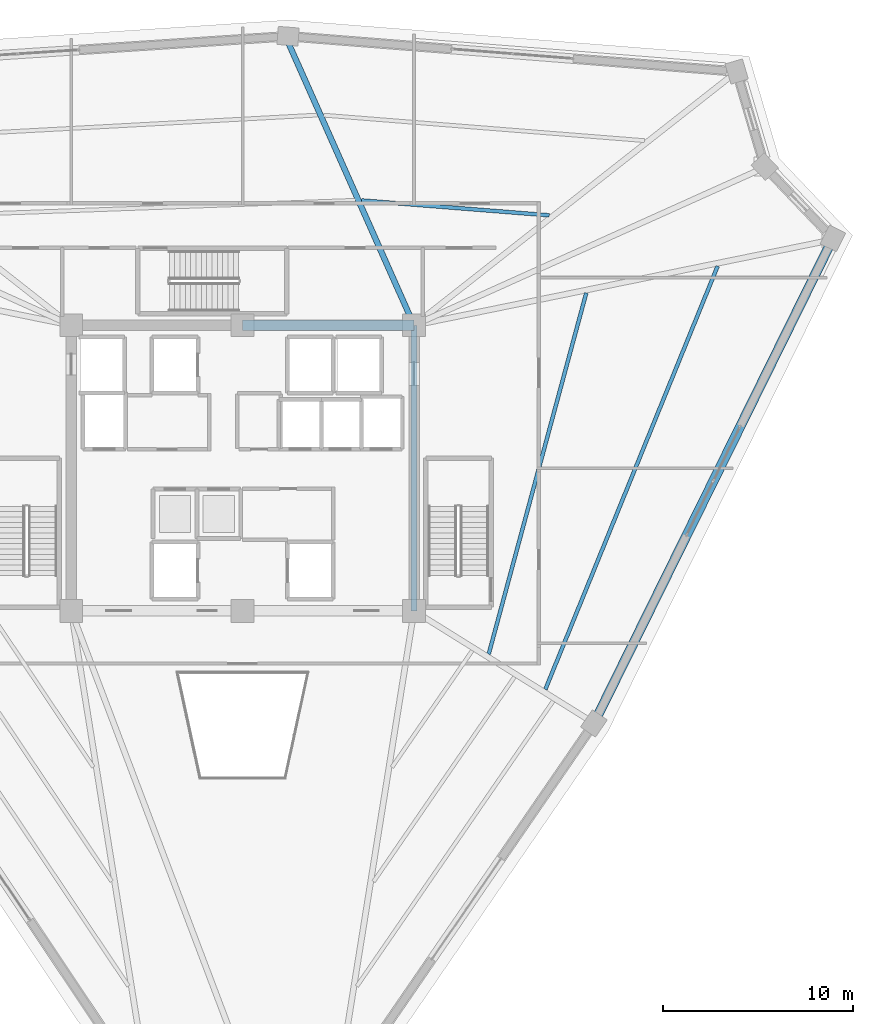
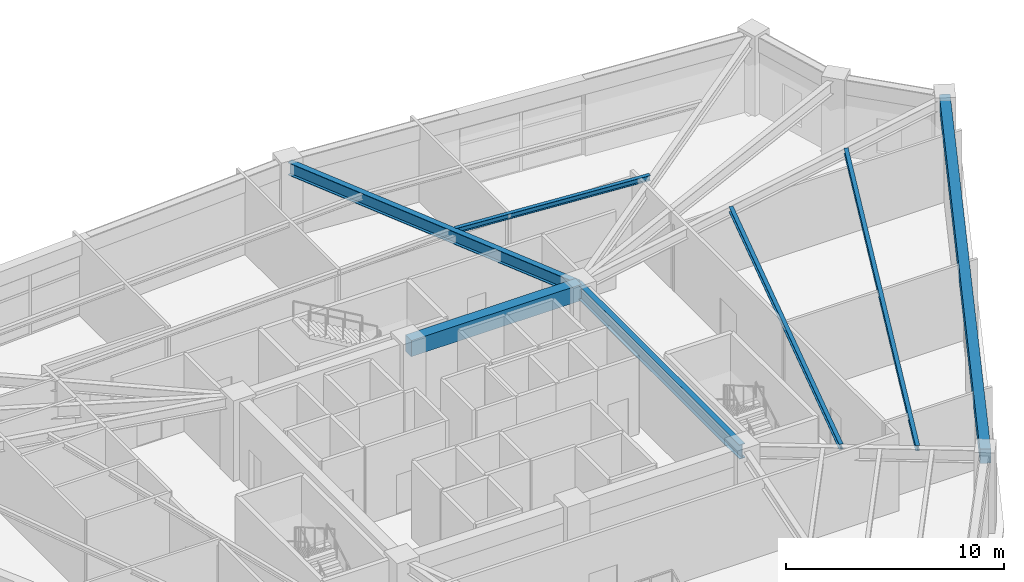
# One storey, part 21 of 35: 7 beams.
"""IFC4 building model written with IfcOpenShell, lengths in metres."""

from ifc_helpers import new_model, si_unit, direction, frame, origin, origin_2d, place, context, subcontext, project, spatial, rectangle, i_section, extrude, source, transform, mapped, material, material_profile, profile_set, type_object, element, save


model = new_model("IFC4")

# Units and contexts
model_context = context("Model", 3, precision=1e-05, world=origin(), true_north=direction((0.0, 1.0)))
body_context = subcontext(model_context, "Body", "Model", "MODEL_VIEW")
ifc_project = project(units=[si_unit("LENGTHUNIT", "METRE"), si_unit("AREAUNIT", "SQUARE_METRE"), si_unit("VOLUMEUNIT", "CUBIC_METRE"), si_unit("PLANEANGLEUNIT", "RADIAN"), si_unit("MASSUNIT", "GRAM", prefix="KILO")], contexts=[model_context])

# Site, building, storey
site_placement = place(None, origin())
site = spatial("IfcSite", under=ifc_project, at=site_placement, CompositionType="ELEMENT")
building_placement = place(site_placement, origin())
building = spatial("IfcBuilding", under=site, at=building_placement, Name="Liaohun Quay Tower", CompositionType="ELEMENT")
storey_placement = place(building_placement, frame((0.0, 0.0, 282.0)))
storey = spatial("IfcBuildingStorey", under=building, at=storey_placement, Name="L73", CompositionType="ELEMENT", Elevation=282.0)

# Beams
ifc_material_1 = material(Name="Steel Q355D", Category="steel")
ifc_material_profile_1 = material_profile(ifc_material_1, i_section(OverallWidth=0.300048828125, OverallDepth=0.800048828125, WebThickness=0.013916015625, FlangeThickness=0.02587890625, at=origin_2d()), Name="HN800x300x14x26")
ifc_profile_set_1 = profile_set([ifc_material_profile_1], Name="Steel Q355D")
beam_type_1 = type_object("IfcBeamType", Name="BM-RAD-M1", PredefinedType="BEAM", material=ifc_profile_set_1)
shared_shape_1 = source(origin(), body_context, "Body", "SweptSolid", [
    extrude(i_section(OverallWidth=0.300048828125, OverallDepth=0.800048828125, WebThickness=0.013916015625, FlangeThickness=0.02587890625, at=origin_2d()), origin(), (0.0, 0.0, 1.0), 15.0),
])
beam_1_placement = place(storey_placement, frame((69.0, 46.5, 3.919921875), z_axis=(0.0, 1.0, 0.0), x_axis=(-1.0, 0.0, 0.0)))
element("IfcBeam", 1, at=beam_1_placement, inside=storey, type_object=beam_type_1, Name="L73 Core Coupling/Ring Beam CC3-CC4", PredefinedType="BEAM", context=body_context, shape_type="MappedRepresentation", body=[
    mapped(shared_shape_1, transform((0.0, 0.0, 0.0), x_axis=(1.0, 0.0, 0.0), y_axis=(0.0, 1.0, 0.0), z_axis=(0.0, 0.0, 1.0), scale=1.0)),
])
ifc_material_2 = material(Name="Concrete C55", Category="concrete")
ifc_material_profile_2 = material_profile(ifc_material_2, rectangle(XDim=0.550048828125, YDim=0.89990234375, at=origin_2d()), Name="RC550x900")
ifc_profile_set_2 = profile_set([ifc_material_profile_2], Name="Concrete C55")
beam_type_2 = type_object("IfcBeamType", Name="BM-CPL-2", PredefinedType="LINTEL", material=ifc_profile_set_2)
shared_shape_2 = source(origin(), body_context, "Body", "SweptSolid", [
    extrude(rectangle(XDim=0.550048828125, YDim=0.89990234375, at=origin_2d()), origin(), (0.0, 0.0, 1.0), 9.0),
])
beam_2_placement = place(storey_placement, frame((69.0, 61.5, 3.8701171875), z_axis=(-1.0, 0.0, 0.0), x_axis=(0.0, -1.0, 0.0)))
element("IfcBeam", 2, at=beam_2_placement, inside=storey, type_object=beam_type_2, Name="L73 Core Coupling/Ring Beam CC4-CC5", PredefinedType="LINTEL", context=body_context, shape_type="MappedRepresentation", body=[
    mapped(shared_shape_2, transform((0.0, 0.0, 0.0), x_axis=(1.0, 0.0, 0.0), y_axis=(0.0, 1.0, 0.0), z_axis=(0.0, 0.0, 1.0), scale=1.0)),
])
ifc_material_3 = material(Name="Precast concrete C50", Category="concrete")
ifc_material_profile_3 = material_profile(ifc_material_3, rectangle(XDim=0.5, YDim=0.800048828125, at=origin_2d()), Name="RC500x800")
ifc_profile_set_3 = profile_set([ifc_material_profile_3], Name="Precast concrete C50")
beam_type_3 = type_object("IfcBeamType", Name="BM-SPD-Z4", PredefinedType="SPANDREL", material=ifc_profile_set_3)
shared_shape_3 = source(origin(), body_context, "Body", "SweptSolid", [
    extrude(rectangle(XDim=0.5, YDim=0.800048828125, at=origin_2d()), origin(), (0.0, 0.0, 1.0), 28.3935546875),
])
beam_3_placement = place(storey_placement, frame((90.998046875, 66.06201171875, 3.919921875), z_axis=(-0.442105732099, -0.896962943295, 0.0), x_axis=(0.896962943295, -0.442105732099, 0.0)))
element("IfcBeam", 3, at=beam_3_placement, inside=storey, type_object=beam_type_3, Name="L73 Precast Spandrel Beam PC09-PC10", PredefinedType="SPANDREL", context=body_context, shape_type="MappedRepresentation", body=[
    mapped(shared_shape_3, transform((0.0, 0.0, 0.0), x_axis=(1.0, 0.0, 0.0), y_axis=(0.0, 1.0, 0.0), z_axis=(0.0, 0.0, 1.0), scale=1.0)),
])
ifc_material_profile_4 = material_profile(ifc_material_1, i_section(OverallWidth=0.300048828125, OverallDepth=0.699951171875, WebThickness=0.012939453125, FlangeThickness=0.02392578125, at=origin_2d()), Name="HN700x300x13x24")
ifc_profile_set_4 = profile_set([ifc_material_profile_4], Name="Steel Q355D")
beam_type_4 = type_object("IfcBeamType", Name="BM-RAD-U1", PredefinedType="BEAM", material=ifc_profile_set_4)
shared_shape_4 = source(origin(), body_context, "Body", "SweptSolid", [
    extrude(i_section(OverallWidth=0.300048828125, OverallDepth=0.699951171875, WebThickness=0.012939453125, FlangeThickness=0.02392578125, at=origin_2d()), origin(), (0.0, 0.0, 1.0), 16.337158203125),
])
beam_4_placement = place(storey_placement, frame((69.0, 61.5, 3.969970703125), z_axis=(-0.406428233319, 0.913682708144, 0.0), x_axis=(-0.913682708144, -0.406428233319, 0.0)))
element("IfcBeam", 4, at=beam_4_placement, inside=storey, type_object=beam_type_4, Name="L73 Radial Primary Girder CC4-PC06", PredefinedType="BEAM", context=body_context, shape_type="MappedRepresentation", body=[
    mapped(shared_shape_4, transform((0.0, 0.0, 0.0), x_axis=(1.0, 0.0, 0.0), y_axis=(0.0, 1.0, 0.0), z_axis=(0.0, 0.0, 1.0), scale=1.0)),
])
ifc_material_profile_5 = material_profile(ifc_material_1, i_section(OverallWidth=0.199951171875, OverallDepth=0.2939453125, WebThickness=0.008056640625, FlangeThickness=0.011962890625, at=origin_2d()), Name="HM294x200x8x12")
ifc_profile_set_5 = profile_set([ifc_material_profile_5], Name="Steel Q355D")
beam_type_5 = type_object("IfcBeamType", Name="BM-SEC-J4", PredefinedType="JOIST", material=ifc_profile_set_5)
shared_shape_5 = source(origin(), body_context, "Body", "SweptSolid", [
    extrude(i_section(OverallWidth=0.199951171875, OverallDepth=0.2939453125, WebThickness=0.008056640625, FlangeThickness=0.011962890625, at=origin_2d()), origin(), (0.0, 0.0, 1.0), 9.884033203125),
])
beam_5_placement = place(storey_placement, frame((66.2490234375, 68.053955078125, 4.173095703125), z_axis=(0.996865423498, -0.07911591138, 0.0), x_axis=(0.07911591138, 0.996865423498, 0.0)))
element("IfcBeam", 5, at=beam_5_placement, inside=storey, type_object=beam_type_5, Name="L73 Wing Secondary Floor Joist SJ-08", PredefinedType="JOIST", context=body_context, shape_type="MappedRepresentation", body=[
    mapped(shared_shape_5, transform((0.0, 0.0, 0.0), x_axis=(1.0, 0.0, 0.0), y_axis=(0.0, 1.0, 0.0), z_axis=(0.0, 0.0, 1.0), scale=1.0)),
])
shared_shape_6 = source(origin(), body_context, "Body", "SweptSolid", [
    extrude(i_section(OverallWidth=0.199951171875, OverallDepth=0.2939453125, WebThickness=0.008056640625, FlangeThickness=0.011962890625, at=origin_2d()), origin(), (0.0, 0.0, 1.0), 19.642578125),
])
beam_6_placement = place(storey_placement, frame((78.0439453125, 63.196044921875, 4.173095703125), z_axis=(-0.260750302979, -0.96540627691, 0.0), x_axis=(0.96540627691, -0.260750302979, 0.0)))
element("IfcBeam", 6, at=beam_6_placement, inside=storey, type_object=beam_type_5, Name="L73 Wing Secondary Floor Joist SJ-10", PredefinedType="JOIST", context=body_context, shape_type="MappedRepresentation", body=[
    mapped(shared_shape_6, transform((0.0, 0.0, 0.0), x_axis=(1.0, 0.0, 0.0), y_axis=(0.0, 1.0, 0.0), z_axis=(0.0, 0.0, 1.0), scale=1.0)),
])
shared_shape_7 = source(origin(), body_context, "Body", "SweptSolid", [
    extrude(i_section(OverallWidth=0.199951171875, OverallDepth=0.2939453125, WebThickness=0.008056640625, FlangeThickness=0.011962890625, at=origin_2d()), origin(), (0.0, 0.0, 1.0), 23.996826171875),
])
beam_7_placement = place(storey_placement, frame((84.943115234375, 64.60595703125, 4.173095703125), z_axis=(-0.377012803368, -0.926208046875, 0.0), x_axis=(0.926208046875, -0.377012803368, 0.0)))
element("IfcBeam", 7, at=beam_7_placement, inside=storey, type_object=beam_type_5, Name="L73 Wing Secondary Floor Joist SJ-11", PredefinedType="JOIST", context=body_context, shape_type="MappedRepresentation", body=[
    mapped(shared_shape_7, transform((0.0, 0.0, 0.0), x_axis=(1.0, 0.0, 0.0), y_axis=(0.0, 1.0, 0.0), z_axis=(0.0, 0.0, 1.0), scale=1.0)),
])

save(model, "model.ifc")
